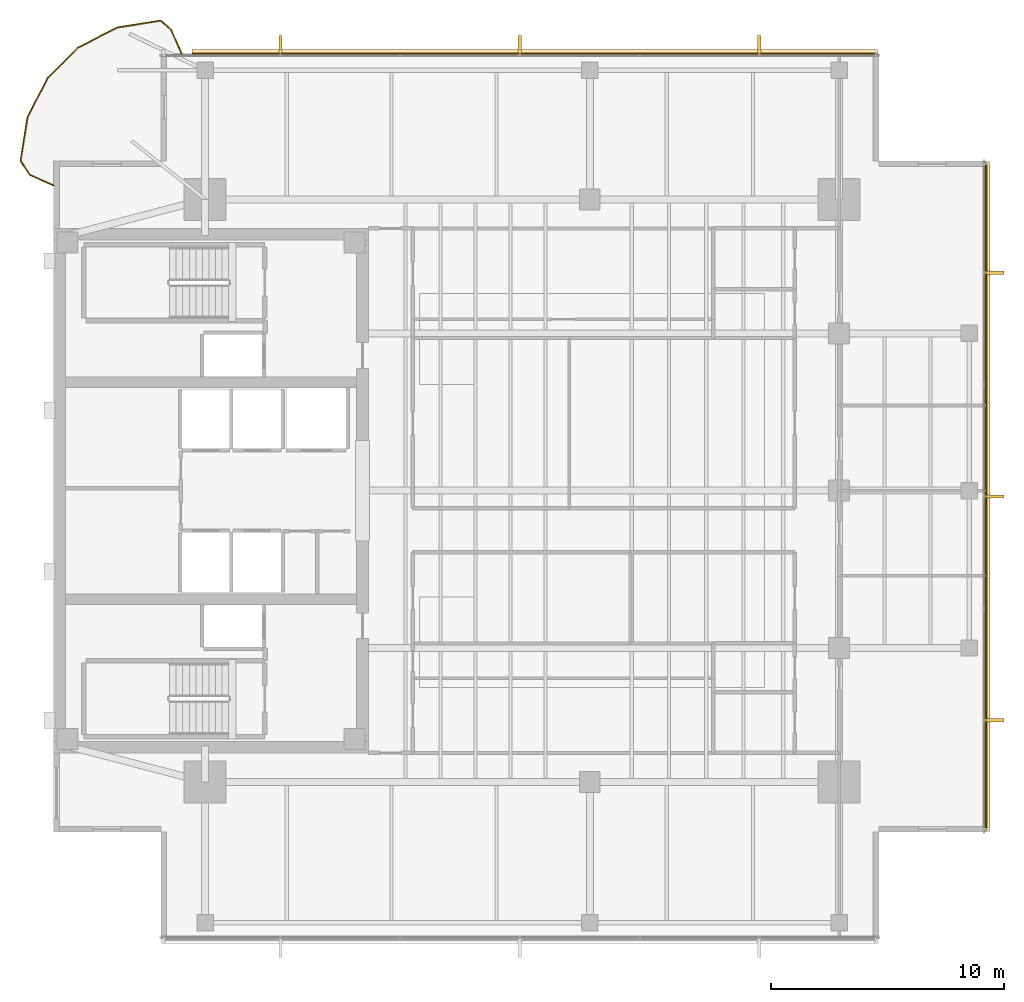
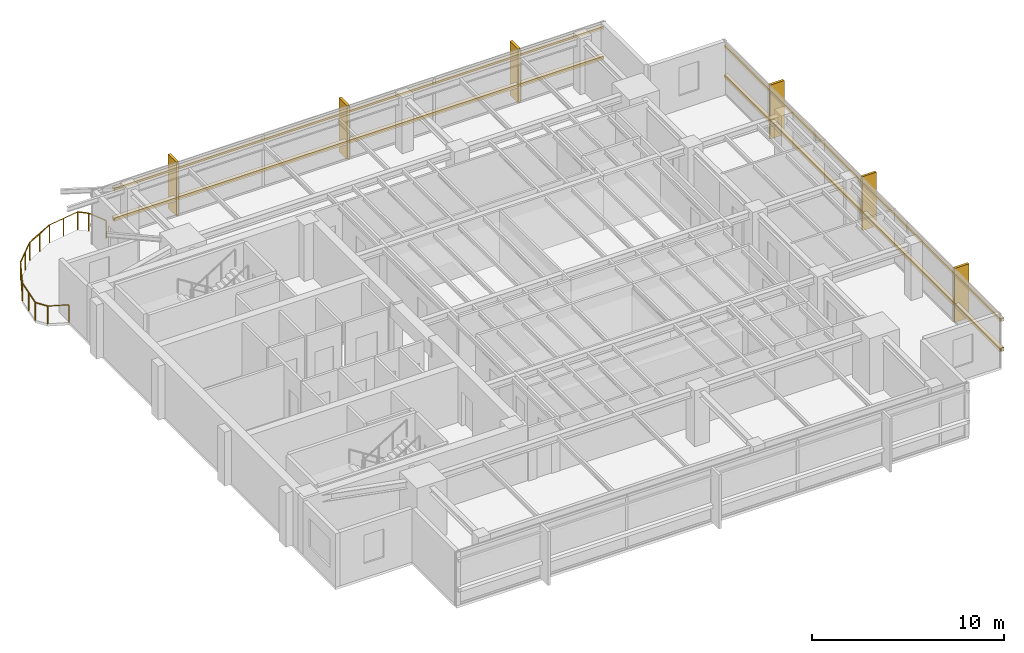
# One storey, part 14 of 14: 10 coverings, 9 railings, 4 shading devices.
"""IFC4 building model written with IfcOpenShell, lengths in metres."""

from ifc_helpers import new_model, si_unit, direction, frame, origin, origin_2d, place, context, subcontext, project, spatial, polyline, rectangle, circle, outline, extrude, material, layer, layer_set, material_profile, profile_set, type_object, element, save


model = new_model("IFC4")

# Units and contexts
model_context = context("Model", 3, precision=1e-05, world=origin(), true_north=direction((0.0, 1.0)))
body_context = subcontext(model_context, "Body", "Model", "MODEL_VIEW")
ifc_project = project(units=[si_unit("LENGTHUNIT", "METRE"), si_unit("AREAUNIT", "SQUARE_METRE"), si_unit("VOLUMEUNIT", "CUBIC_METRE"), si_unit("PLANEANGLEUNIT", "RADIAN"), si_unit("MASSUNIT", "GRAM", prefix="KILO")], contexts=[model_context])

# Site, building, storey
site_placement = place(None, origin())
site = spatial("IfcSite", under=ifc_project, at=site_placement, CompositionType="ELEMENT")
building_placement = place(site_placement, origin())
building = spatial("IfcBuilding", under=site, at=building_placement, Name="Kinhvarn Gate Tower", CompositionType="ELEMENT")
storey_placement = place(building_placement, frame((0.0, 0.0, 249.25)))
storey = spatial("IfcBuildingStorey", under=building, at=storey_placement, Name="L66", CompositionType="ELEMENT", Elevation=249.25)

# Coverings
ifc_material_1 = material(Name="Fired architectural terracotta", Category="masonry")
ifc_layer_1 = layer(ifc_material_1, 0.239990234375)
ifc_layer_set_1 = layer_set([ifc_layer_1], Name="Fired architectural terracotta")
covering_type_1 = type_object("IfcCoveringType", Name="COV-BAG-220", PredefinedType="CLADDING", material=ifc_layer_set_1)
for number, where, name in (
    (1, (0.0, 0.0, 0.93994140625), "Terracotta Horizontal Sunscreen Band TBG-220 (L66)"),
    (2, (0.0, 0.0, 2.830078125), "Terracotta Horizontal Sunscreen Band TBG-220 (L66)"),
):
    element("IfcCovering", number, at=place(storey_placement, frame(where)), inside=storey, type_object=covering_type_1, Name=name, PredefinedType="CLADDING", context=body_context, shape_type="SweptSolid", body=[
        extrude(outline(polyline([(39.860107421875, 43.929931640625), (10.44189453125, 43.929931640625), (10.44189453125, 44.169921875), (39.860107421875, 44.169921875), (39.860107421875, 43.929931640625)])), origin(), (0.0, 0.0, 1.0), 0.219970703125),
    ])
for number, where, name in (
    (3, (0.0, 0.0, 0.93994140625), "Terracotta Horizontal Sunscreen Band TBG-220 (L66)"),
    (4, (0.0, 0.0, 2.830078125), "Terracotta Horizontal Sunscreen Band TBG-220 (L66)"),
):
    element("IfcCovering", number, at=place(storey_placement, frame(where)), inside=storey, type_object=covering_type_1, Name=name, PredefinedType="CLADDING", context=body_context, shape_type="SweptSolid", body=[
        extrude(outline(polyline([(44.429931640625, 10.639892578125), (44.429931640625, 39.360107421875), (44.669921875, 39.360107421875), (44.669921875, 10.639892578125), (44.429931640625, 10.639892578125)])), origin(), (0.0, 0.0, 1.0), 0.219970703125),
    ])
ifc_layer_2 = layer(ifc_material_1, 0.139892578125)
ifc_layer_set_2 = layer_set([ifc_layer_2], Name="Fired architectural terracotta")
covering_type_2 = type_object("IfcCoveringType", Name="COV-FIN-850", PredefinedType="CLADDING", material=ifc_layer_set_2)
covering_1_placement = place(storey_placement, frame((0.0, 0.0, -0.02001953125)))
element("IfcCovering", 5, at=covering_1_placement, inside=storey, type_object=covering_type_2, Name="Vertical Terracotta Expressive Fin TFN-850 (L66)", PredefinedType="CLADDING", context=body_context, shape_type="SweptSolid", body=[
    extrude(outline(polyline([(34.836669921875, 43.919921875), (34.69677734375, 43.919921875), (34.69677734375, 44.77001953125), (34.836669921875, 44.77001953125), (34.836669921875, 43.919921875)])), origin(), (0.0, 0.0, 1.0), 3.429931640625),
])
covering_2_placement = place(storey_placement, frame((0.0, 0.0, -0.02001953125)))
element("IfcCovering", 6, at=covering_2_placement, inside=storey, type_object=covering_type_2, Name="Vertical Terracotta Expressive Fin TFN-850 (L66)", PredefinedType="CLADDING", context=body_context, shape_type="SweptSolid", body=[
    extrude(outline(polyline([(24.570068359375, 43.919921875), (24.429931640625, 43.919921875), (24.429931640625, 44.77001953125), (24.570068359375, 44.77001953125), (24.570068359375, 43.919921875)])), origin(), (0.0, 0.0, 1.0), 3.429931640625),
])
covering_3_placement = place(storey_placement, frame((0.0, 0.0, -0.02001953125)))
element("IfcCovering", 7, at=covering_3_placement, inside=storey, type_object=covering_type_2, Name="Vertical Terracotta Expressive Fin TFN-850 (L66)", PredefinedType="CLADDING", context=body_context, shape_type="SweptSolid", body=[
    extrude(outline(polyline([(14.30322265625, 43.919921875), (14.163330078125, 43.919921875), (14.163330078125, 44.77001953125), (14.30322265625, 44.77001953125), (14.30322265625, 43.919921875)])), origin(), (0.0, 0.0, 1.0), 3.429931640625),
])
covering_4_placement = place(storey_placement, frame((0.0, 0.0, -0.02001953125)))
element("IfcCovering", 8, at=covering_4_placement, inside=storey, type_object=covering_type_2, Name="Vertical Terracotta Expressive Fin TFN-850 (L66)", PredefinedType="CLADDING", context=body_context, shape_type="SweptSolid", body=[
    extrude(outline(polyline([(44.419921875, 15.330078125), (44.419921875, 15.469970703125), (45.27001953125, 15.469970703125), (45.27001953125, 15.330078125), (44.419921875, 15.330078125)])), origin(), (0.0, 0.0, 1.0), 3.429931640625),
])
covering_5_placement = place(storey_placement, frame((0.0, 0.0, -0.02001953125)))
element("IfcCovering", 9, at=covering_5_placement, inside=storey, type_object=covering_type_2, Name="Vertical Terracotta Expressive Fin TFN-850 (L66)", PredefinedType="CLADDING", context=body_context, shape_type="SweptSolid", body=[
    extrude(outline(polyline([(44.419921875, 24.929931640625), (44.419921875, 25.070068359375), (45.27001953125, 25.070068359375), (45.27001953125, 24.929931640625), (44.419921875, 24.929931640625)])), origin(), (0.0, 0.0, 1.0), 3.429931640625),
])
covering_6_placement = place(storey_placement, frame((0.0, 0.0, -0.02001953125)))
element("IfcCovering", 10, at=covering_6_placement, inside=storey, type_object=covering_type_2, Name="Vertical Terracotta Expressive Fin TFN-850 (L66)", PredefinedType="CLADDING", context=body_context, shape_type="SweptSolid", body=[
    extrude(outline(polyline([(44.419921875, 34.530029296875), (44.419921875, 34.669921875), (45.27001953125, 34.669921875), (45.27001953125, 34.530029296875), (44.419921875, 34.530029296875)])), origin(), (0.0, 0.0, 1.0), 3.429931640625),
])

# Railings
ifc_material_2 = material(Name="Clear low-e double glazing", Category="glass")
railing_type = type_object("IfcRailingType", Name="RL-BAL-1150", PredefinedType="BALUSTRADE", material=ifc_material_2)
railing_1_placement = place(storey_placement, frame((9.991943359375, 44.0, 0.0)))
element("IfcRailing", 11, at=railing_1_placement, inside=storey, type_object=railing_type, Name="S-Carve Balcony Guardrail Seg 1 (L66)", PredefinedType="BALUSTRADE", context=body_context, shape_type="SweptSolid", body=[
    extrude(circle(Radius=0.02392578125, at=origin_2d()), frame((0.0, 0.0, 1.1259765625), z_axis=(-0.403273847268, 0.915079343068, 0.0), x_axis=(-0.915079343068, -0.403273847268, 0.0)), (0.0, 0.0, 1.0), 1.11572265625),
    extrude(circle(Radius=0.02099609375, at=origin_2d()), origin(), (0.0, 0.0, 1.0), 1.101806640625),
    extrude(circle(Radius=0.02099609375, at=origin_2d()), frame((-0.449951171875, 1.02099609375, 0.0)), (0.0, 0.0, 1.0), 1.101806640625),
])
railing_2_placement = place(storey_placement, frame((9.5419921875, 45.02099609375, 0.0)))
element("IfcRailing", 12, at=railing_2_placement, inside=storey, type_object=railing_type, Name="S-Carve Balcony Guardrail Seg 2 (L66)", PredefinedType="BALUSTRADE", context=body_context, shape_type="SweptSolid", body=[
    extrude(circle(Radius=0.02392578125, at=origin_2d()), frame((0.0, 0.0, 1.1259765625), z_axis=(-0.743906925478, 0.668283238026, 0.0), x_axis=(-0.668283238026, -0.743906925478, 0.0)), (0.0, 0.0, 1.0), 0.593994140625),
    extrude(circle(Radius=0.02099609375, at=origin_2d()), origin(), (0.0, 0.0, 1.0), 1.101806640625),
    extrude(circle(Radius=0.02099609375, at=origin_2d()), frame((-0.44189453125, 0.39697265625, 0.0)), (0.0, 0.0, 1.0), 1.101806640625),
])
railing_3_placement = place(storey_placement, frame((9.10009765625, 45.41796875, 0.0)))
element("IfcRailing", 13, at=railing_3_placement, inside=storey, type_object=railing_type, Name="S-Carve Balcony Guardrail Seg 3 (L66)", PredefinedType="BALUSTRADE", context=body_context, shape_type="SweptSolid", body=[
    extrude(circle(Radius=0.02392578125, at=origin_2d()), frame((0.0, 0.0, 1.1259765625), z_axis=(-0.987699809911, -0.156362033441, 0.0), x_axis=(0.156362033441, -0.987699809911, 0.0)), (0.0, 0.0, 1.0), 1.883056640625),
    extrude(circle(Radius=0.02099609375, at=origin_2d()), origin(), (0.0, 0.0, 1.0), 1.101806640625),
    extrude(circle(Radius=0.02099609375, at=origin_2d()), frame((-0.929931640625, -0.147216796875, 0.0)), (0.0, 0.0, 1.0), 1.101806640625),
    extrude(circle(Radius=0.02099609375, at=origin_2d()), frame((-1.85986328125, -0.29443359375, 0.0)), (0.0, 0.0, 1.0), 1.101806640625),
])
railing_4_placement = place(storey_placement, frame((7.240234375, 45.12353515625, 0.0)))
element("IfcRailing", 14, at=railing_4_placement, inside=storey, type_object=railing_type, Name="S-Carve Balcony Guardrail Seg 4 (L66)", PredefinedType="BALUSTRADE", context=body_context, shape_type="SweptSolid", body=[
    extrude(circle(Radius=0.02392578125, at=origin_2d()), frame((0.0, 0.0, 1.1259765625), z_axis=(-0.891003868032, -0.453995712703, 0.0), x_axis=(0.453995712703, -0.891003868032, 0.0)), (0.0, 0.0, 1.0), 1.8828125),
    extrude(circle(Radius=0.02099609375, at=origin_2d()), origin(), (0.0, 0.0, 1.0), 1.101806640625),
    extrude(circle(Radius=0.02099609375, at=origin_2d()), frame((-0.8388671875, -0.42724609375, 0.0)), (0.0, 0.0, 1.0), 1.101806640625),
    extrude(circle(Radius=0.02099609375, at=origin_2d()), frame((-1.677490234375, -0.854736328125, 0.0)), (0.0, 0.0, 1.0), 1.101806640625),
])
railing_5_placement = place(storey_placement, frame((5.562744140625, 44.268798828125, 0.0)))
element("IfcRailing", 15, at=railing_5_placement, inside=storey, type_object=railing_type, Name="S-Carve Balcony Guardrail Seg 5 (L66)", PredefinedType="BALUSTRADE", context=body_context, shape_type="SweptSolid", body=[
    extrude(circle(Radius=0.02392578125, at=origin_2d()), frame((0.0, 0.0, 1.1259765625), z_axis=(-0.707106781187, -0.707106781187, 0.0), x_axis=(0.707106781187, -0.707106781187, 0.0)), (0.0, 0.0, 1.0), 1.883056640625),
    extrude(circle(Radius=0.02099609375, at=origin_2d()), origin(), (0.0, 0.0, 1.0), 1.101806640625),
    extrude(circle(Radius=0.02099609375, at=origin_2d()), frame((-0.665771484375, -0.665771484375, 0.0)), (0.0, 0.0, 1.0), 1.101806640625),
    extrude(circle(Radius=0.02099609375, at=origin_2d()), frame((-1.33154296875, -1.33154296875, 0.0)), (0.0, 0.0, 1.0), 1.101806640625),
])
railing_6_placement = place(storey_placement, frame((4.231201171875, 42.937255859375, 0.0)))
element("IfcRailing", 16, at=railing_6_placement, inside=storey, type_object=railing_type, Name="S-Carve Balcony Guardrail Seg 6 (L66)", PredefinedType="BALUSTRADE", context=body_context, shape_type="SweptSolid", body=[
    extrude(circle(Radius=0.02392578125, at=origin_2d()), frame((0.0, 0.0, 1.1259765625), z_axis=(-0.453995712703, -0.891003868032, 0.0), x_axis=(0.891003868032, -0.453995712703, 0.0)), (0.0, 0.0, 1.0), 1.8828125),
    extrude(circle(Radius=0.02099609375, at=origin_2d()), origin(), (0.0, 0.0, 1.0), 1.101806640625),
    extrude(circle(Radius=0.02099609375, at=origin_2d()), frame((-0.42724609375, -0.8388671875, 0.0)), (0.0, 0.0, 1.0), 1.101806640625),
    extrude(circle(Radius=0.02099609375, at=origin_2d()), frame((-0.854736328125, -1.677490234375, 0.0)), (0.0, 0.0, 1.0), 1.101806640625),
])
railing_7_placement = place(storey_placement, frame((3.37646484375, 41.259765625, 0.0)))
element("IfcRailing", 17, at=railing_7_placement, inside=storey, type_object=railing_type, Name="S-Carve Balcony Guardrail Seg 7 (L66)", PredefinedType="BALUSTRADE", context=body_context, shape_type="SweptSolid", body=[
    extrude(circle(Radius=0.02392578125, at=origin_2d()), frame((0.0, 0.0, 1.1259765625), z_axis=(-0.156362033441, -0.987699809911, 0.0), x_axis=(0.987699809911, -0.156362033441, 0.0)), (0.0, 0.0, 1.0), 1.883056640625),
    extrude(circle(Radius=0.02099609375, at=origin_2d()), origin(), (0.0, 0.0, 1.0), 1.101806640625),
    extrude(circle(Radius=0.02099609375, at=origin_2d()), frame((-0.147216796875, -0.929931640625, 0.0)), (0.0, 0.0, 1.0), 1.101806640625),
    extrude(circle(Radius=0.02099609375, at=origin_2d()), frame((-0.29443359375, -1.85986328125, 0.0)), (0.0, 0.0, 1.0), 1.101806640625),
])
railing_8_placement = place(storey_placement, frame((3.08203125, 39.39990234375, 0.0)))
element("IfcRailing", 18, at=railing_8_placement, inside=storey, type_object=railing_type, Name="S-Carve Balcony Guardrail Seg 8 (L66)", PredefinedType="BALUSTRADE", context=body_context, shape_type="SweptSolid", body=[
    extrude(circle(Radius=0.02392578125, at=origin_2d()), frame((0.0, 0.0, 1.1259765625), z_axis=(0.548612221758, -0.836076928361, 0.0), x_axis=(0.836076928361, 0.548612221758, 0.0)), (0.0, 0.0, 1.0), 0.7236328125),
    extrude(circle(Radius=0.02099609375, at=origin_2d()), origin(), (0.0, 0.0, 1.0), 1.101806640625),
    extrude(circle(Radius=0.02099609375, at=origin_2d()), frame((0.39697265625, -0.60498046875, 0.0)), (0.0, 0.0, 1.0), 1.101806640625),
])
railing_9_placement = place(storey_placement, frame((3.47900390625, 38.794921875, 0.0)))
element("IfcRailing", 19, at=railing_9_placement, inside=storey, type_object=railing_type, Name="S-Carve Balcony Guardrail Seg 9 (L66)", PredefinedType="BALUSTRADE", context=body_context, shape_type="SweptSolid", body=[
    extrude(circle(Radius=0.02392578125, at=origin_2d()), frame((0.0, 0.0, 1.1259765625), z_axis=(0.915079343068, -0.403273847268, 0.0), x_axis=(0.403273847268, 0.915079343068, 0.0)), (0.0, 0.0, 1.0), 1.11572265625),
    extrude(circle(Radius=0.02099609375, at=origin_2d()), origin(), (0.0, 0.0, 1.0), 1.101806640625),
    extrude(circle(Radius=0.02099609375, at=origin_2d()), frame((1.02099609375, -0.449951171875, 0.0)), (0.0, 0.0, 1.0), 1.101806640625),
])

# Shading devices
ifc_material_profile = material_profile(ifc_material_1, rectangle(XDim=0.050048828125, YDim=0.1201171875, at=origin_2d()), Name="TC 50x120")
ifc_profile_set = profile_set([ifc_material_profile], Name="Fired architectural terracotta")
shading_device_type = type_object("IfcShadingDeviceType", Name="SHD-BAG-140", PredefinedType="USERDEFINED", material=ifc_profile_set)
for number, where, z_axis, x_axis, name in (
    (20, (39.860107421875, 44.0, 1.050048828125), (-1.0, 0.0, 0.0), (0.0, -1.0, 0.0), "Upper Tower Terracotta Baguette Screen Rod 50x120 mm (L66)"),
    (21, (39.860107421875, 44.0, 2.93994140625), (-1.0, 0.0, 0.0), (0.0, -1.0, 0.0), "Upper Tower Terracotta Baguette Screen Rod 50x120 mm (L66)"),
):
    element("IfcShadingDevice", number, at=place(storey_placement, frame(where, z_axis=z_axis, x_axis=x_axis)), inside=storey, type_object=shading_device_type, Name=name, ObjectType="BAGUETTE", PredefinedType="USERDEFINED", context=body_context, shape_type="SweptSolid", body=[
        extrude(rectangle(XDim=0.050048828125, YDim=0.1201171875, at=origin_2d()), origin(), (0.0, 0.0, 1.0), 29.418212890625),
    ])
for number, where, z_axis, x_axis, name in (
    (22, (44.5, 10.639892578125, 1.050048828125), (0.0, 1.0, 0.0), (-1.0, 0.0, 0.0), "Upper Tower Terracotta Baguette Screen Rod 50x120 mm (L66)"),
    (23, (44.5, 10.639892578125, 2.93994140625), (0.0, 1.0, 0.0), (-1.0, 0.0, 0.0), "Upper Tower Terracotta Baguette Screen Rod 50x120 mm (L66)"),
):
    element("IfcShadingDevice", number, at=place(storey_placement, frame(where, z_axis=z_axis, x_axis=x_axis)), inside=storey, type_object=shading_device_type, Name=name, ObjectType="BAGUETTE", PredefinedType="USERDEFINED", context=body_context, shape_type="SweptSolid", body=[
        extrude(rectangle(XDim=0.050048828125, YDim=0.1201171875, at=origin_2d()), origin(), (0.0, 0.0, 1.0), 28.72021484375),
    ])

save(model, "model.ifc")
